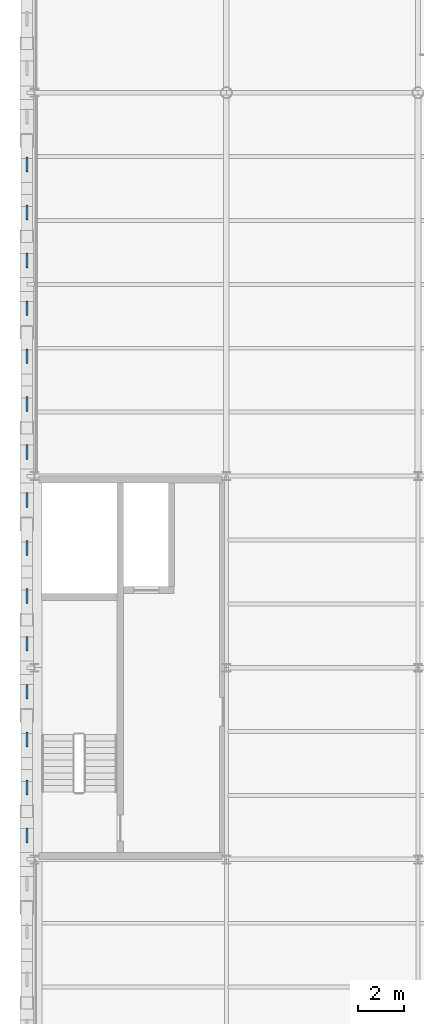
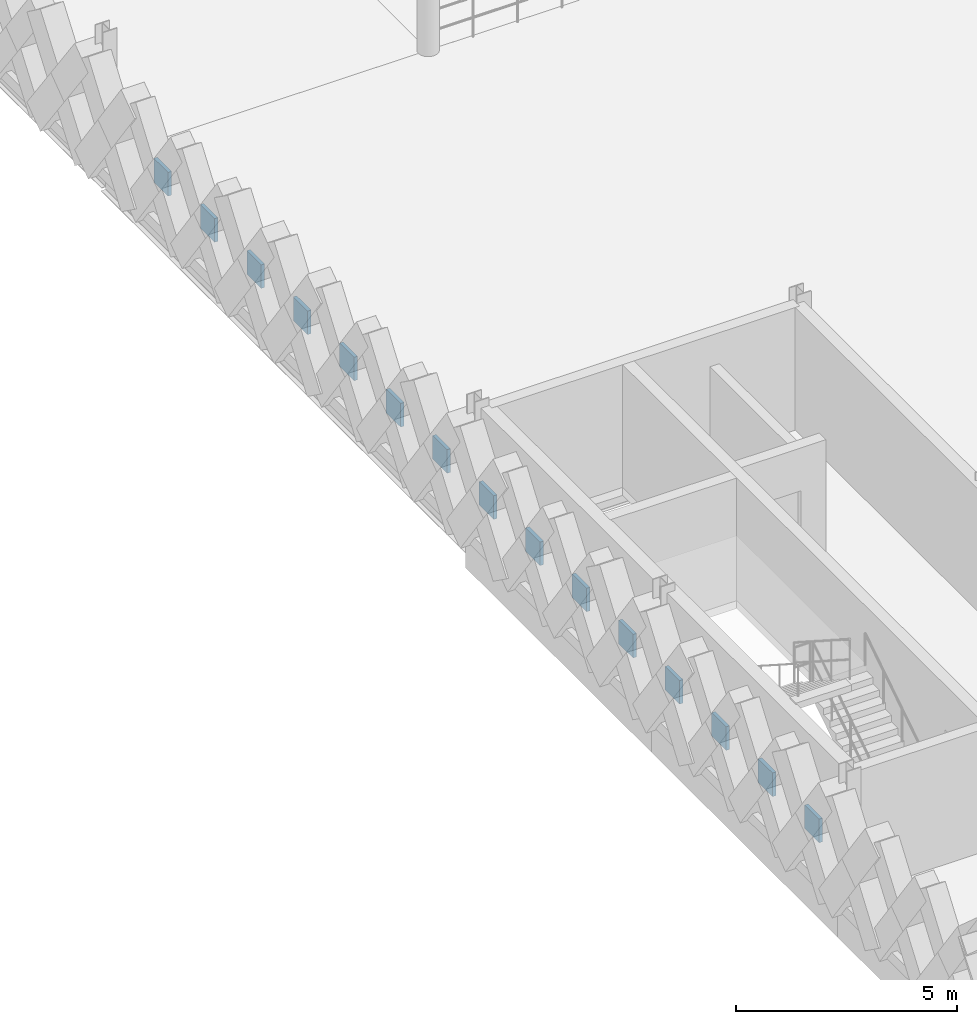
# One storey, part 44 of 62: 15 plates.
"""IFC4 building model written with IfcOpenShell, lengths in metres."""

from ifc_helpers import new_model, si_unit, direction, frame, origin, origin_2d, place, context, subcontext, project, spatial, rectangle, extrude, material, layer, layer_set, type_object, element, save


model = new_model("IFC4")

# Units and contexts
model_context = context("Model", 3, precision=1e-05, world=origin(), true_north=direction((0.0, 1.0)))
body_context = subcontext(model_context, "Body", "Model", "MODEL_VIEW")
ifc_project = project(units=[si_unit("LENGTHUNIT", "METRE"), si_unit("AREAUNIT", "SQUARE_METRE"), si_unit("VOLUMEUNIT", "CUBIC_METRE"), si_unit("PLANEANGLEUNIT", "RADIAN"), si_unit("MASSUNIT", "GRAM", prefix="KILO"), si_unit("THERMODYNAMICTEMPERATUREUNIT", "KELVIN"), si_unit("POWERUNIT", "WATT")], contexts=[model_context])

# Site, building, storey
site_placement = place(None, origin())
site = spatial("IfcSite", under=ifc_project, at=site_placement, CompositionType="ELEMENT")
building_placement = place(site_placement, origin())
building = spatial("IfcBuilding", under=site, at=building_placement, Name="Tembeka Court Mobility Hub", CompositionType="ELEMENT")
storey_placement = place(building_placement, frame((0.0, 0.0, 16.199951171875)))
storey = spatial("IfcBuildingStorey", under=building, at=storey_placement, Name="L04", CompositionType="ELEMENT", Elevation=16.199951171875)

# Plates
ifc_material = material(Name="Precast concrete C45/55", Category="concrete")
ifc_layer = layer(ifc_material, 0.090087890625)
ifc_layer_set = layer_set([ifc_layer], Name="Precast concrete C45/55")
plate_type = type_object("IfcPlateType", Name="PL-PC01", PredefinedType="SHEET", material=ifc_layer_set)
for number, where, z_axis, x_axis, name in (
    (1, (-0.340087890625, 64.64990234375, 1.16015625), (0.0, 0.0, 1.0), (1.0, 0.0, 0.0), "Precast diamond lattice node plate PCN01 (L04-707)"),
    (2, (-0.340087890625, 66.75, 1.16015625), (0.0, 0.0, 1.0), (1.0, 0.0, 0.0), "Precast diamond lattice node plate PCN01 (L04-708)"),
    (3, (-0.340087890625, 68.85009765625, 1.16015625), (0.0, 0.0, 1.0), (1.0, 0.0, 0.0), "Precast diamond lattice node plate PCN01 (L04-709)"),
    (4, (-0.340087890625, 70.949951171875, 1.16015625), (0.0, 0.0, 1.0), (1.0, 0.0, 0.0), "Precast diamond lattice node plate PCN01 (L04-710)"),
    (5, (-0.340087890625, 73.050048828125, 1.16015625), (0.0, 0.0, 1.0), (1.0, 0.0, 0.0), "Precast diamond lattice node plate PCN01 (L04-711)"),
    (6, (-0.340087890625, 75.14990234375, 1.16015625), (0.0, 0.0, 1.0), (1.0, 0.0, 0.0), "Precast diamond lattice node plate PCN01 (L04-712)"),
    (7, (-0.340087890625, 77.25, 1.16015625), (0.0, 0.0, 1.0), (1.0, 0.0, 0.0), "Precast diamond lattice node plate PCN01 (L04-713)"),
    (8, (-0.340087890625, 79.35009765625, 1.16015625), (0.0, 0.0, 1.0), (1.0, 0.0, 0.0), "Precast diamond lattice node plate PCN01 (L04-714)"),
    (9, (-0.340087890625, 81.449951171875, 1.16015625), (0.0, 0.0, 1.0), (1.0, 0.0, 0.0), "Precast diamond lattice node plate PCN01 (L04-715)"),
    (10, (-0.340087890625, 83.550048828125, 1.16015625), (0.0, 0.0, 1.0), (1.0, 0.0, 0.0), "Precast diamond lattice node plate PCN01 (L04-716)"),
    (11, (-0.340087890625, 85.64990234375, 1.16015625), (0.0, 0.0, 1.0), (1.0, 0.0, 0.0), "Precast diamond lattice node plate PCN01 (L04-717)"),
    (12, (-0.340087890625, 87.75, 1.16015625), (0.0, 0.0, 1.0), (1.0, 0.0, 0.0), "Precast diamond lattice node plate PCN01 (L04-718)"),
    (13, (-0.340087890625, 89.85009765625, 1.16015625), (0.0, 0.0, 1.0), (1.0, 0.0, 0.0), "Precast diamond lattice node plate PCN01 (L04-719)"),
    (14, (-0.340087890625, 91.949951171875, 1.16015625), (0.0, 0.0, 1.0), (1.0, 0.0, 0.0), "Precast diamond lattice node plate PCN01 (L04-720)"),
    (15, (-0.340087890625, 94.050048828125, 1.16015625), (0.0, 0.0, 1.0), (1.0, 0.0, 0.0), "Precast diamond lattice node plate PCN01 (L04-721)"),
):
    element("IfcPlate", number, at=place(storey_placement, frame(where, z_axis=z_axis, x_axis=x_axis)), inside=storey, type_object=plate_type, Name=name, PredefinedType="SHEET", context=body_context, shape_type="SweptSolid", body=[
        extrude(rectangle(XDim=0.090087890625, YDim=0.64990234375, at=origin_2d()), origin(), (0.0, 0.0, 1.0), 0.64990234375),
    ])

save(model, "model.ifc")
